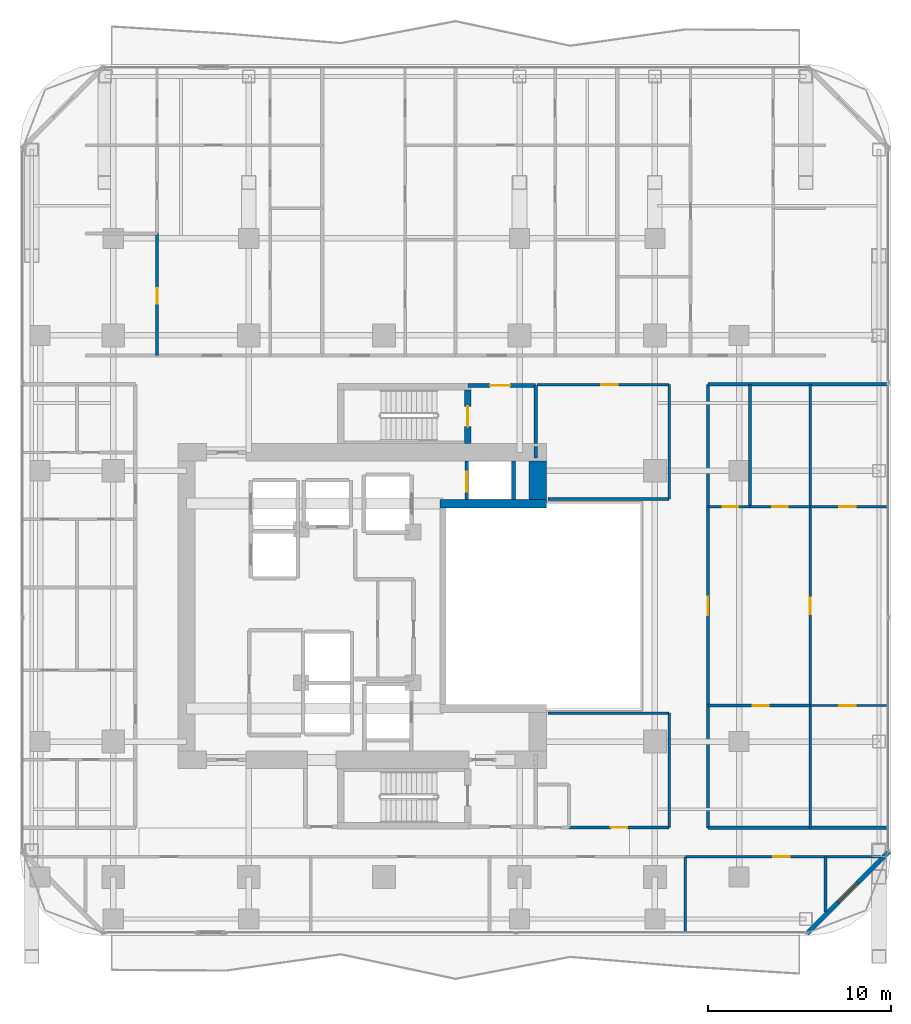
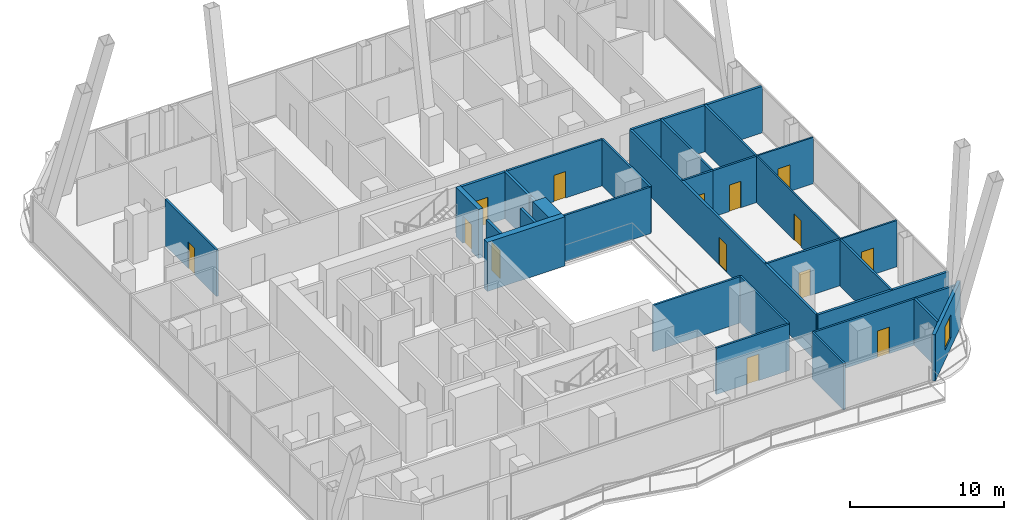
# One storey, part 23 of 28: 31 walls, 14 doors, 1 window, 15 openings.
"""IFC4 building model written with IfcOpenShell, lengths in metres."""

from ifc_helpers import new_model, si_unit, direction, frame, frame_2d, origin, place, context, subcontext, project, spatial, rectangle, extrude, material, layer, layer_set, type_object, element, fill, save


model = new_model("IFC4")

# Units and contexts
model_context = context("Model", 3, precision=1e-05, world=origin(), true_north=direction((0.0, 1.0)))
body_context = subcontext(model_context, "Body", "Model", "MODEL_VIEW")
ifc_project = project(units=[si_unit("LENGTHUNIT", "METRE"), si_unit("AREAUNIT", "SQUARE_METRE"), si_unit("VOLUMEUNIT", "CUBIC_METRE"), si_unit("PLANEANGLEUNIT", "RADIAN"), si_unit("MASSUNIT", "GRAM", prefix="KILO")], contexts=[model_context])

# Site, building, storey
site_placement = place(None, origin())
site = spatial("IfcSite", under=ifc_project, at=site_placement, CompositionType="ELEMENT")
building_placement = place(site_placement, origin())
building = spatial("IfcBuilding", under=site, at=building_placement, Name="Khorvyn Point Tower", CompositionType="ELEMENT")
storey_placement = place(building_placement, frame((0.0, 0.0, 121.199951171875)))
storey = spatial("IfcBuildingStorey", under=building, at=storey_placement, Name="L30", CompositionType="ELEMENT", Elevation=121.199951171875)

# Wall, opening, door
ifc_material_1 = material(Name="Double acoustic gypsum on twin steel stud", Category="steel")
ifc_layer_1 = layer(ifc_material_1, 0.179931640625)
ifc_layer_set_1 = layer_set([ifc_layer_1], Name="Acoustic Double-Stud Apartment Demising Wall 180")
wall_type_1 = type_object("IfcWallType", Name="Acoustic Double-Stud Apartment Demising Wall 180", PredefinedType="PARTITIONING", material=ifc_layer_set_1)
wall_1_placement = place(storey_placement, frame((17.699951171875, -12.1201171875, 0.0), z_axis=(0.0, 0.0, 1.0), x_axis=(0.0, 1.0, 0.0)))
wall_1 = element("IfcWall", 1, at=wall_1_placement, inside=storey, type_object=wall_type_1, Name="Wall", PredefinedType="PARTITIONING", context=body_context, shape_type="SweptSolid", body=[
    extrude(rectangle(XDim=24.240234375, YDim=0.179931640625, at=frame_2d((12.1201171875, 0.0))), origin(), (0.0, 0.0, 1.0), 3.679931640625),
])
opening_1_placement = place(wall_1_placement, frame((11.6201171875, 0.0, 0.0)))
opening_1 = element("IfcOpeningElement", 2, at=opening_1_placement, cuts=wall_1, Name="Opening ID-AP60", PredefinedType="OPENING", context=body_context, shape_type="SweptSolid", body=[
    extrude(rectangle(XDim=1.0, YDim=2.199951171875, at=frame_2d((0.5, 1.10009765625))), frame((0.0, 0.099853515625, 0.0), z_axis=(0.0, -1.0, 0.0), x_axis=(1.0, 0.0, 0.0)), (0.0, 0.0, 1.0), 0.199951171875),
])
ifc_material_2 = material(Name="Engineered hardwood fire-rated leaf", Category="wood")
door_type_1 = type_object("IfcDoorType", Name="Acoustic Solid-Core Timber Apartment Entrance Door 1000x2200", OperationType="NOTDEFINED", PredefinedType="DOOR", material=ifc_material_2)
door_1_placement = place(opening_1_placement, origin())
door_1 = element("IfcDoor", 3, at=door_1_placement, inside=storey, type_object=door_type_1, Name="Door", OperationType="SINGLE_SWING_RIGHT", OverallHeight=2.199951171875, OverallWidth=1.0, PredefinedType="DOOR", context=body_context, shape_type="SweptSolid", body=[
    extrude(rectangle(XDim=1.0, YDim=2.199951171875, at=frame_2d((0.5, 1.10009765625))), frame((0.0, 0.02490234375, 0.0), z_axis=(0.0, -1.0, 0.0), x_axis=(1.0, 0.0, 0.0)), (0.0, 0.0, 1.0), 0.050048828125),
])
fill(opening_1, door_1)

# Walls
wall_2_placement = place(storey_placement, frame((24.1201171875, -16.7099609375, 0.0), z_axis=(0.0, 0.0, 1.0), x_axis=(0.0, 1.0, 0.0)))
element("IfcWall", 4, at=wall_2_placement, inside=storey, type_object=wall_type_1, Name="Wall", PredefinedType="PARTITIONING", context=body_context, shape_type="SweptSolid", body=[
    extrude(rectangle(XDim=3.010009765625, YDim=0.179931640625, at=frame_2d((1.5048828125, 0.0))), origin(), (0.0, 0.0, 1.0), 3.679931640625),
])
for number, where, z_axis, x_axis, name in (
    (5, (17.699951171875, -12.1201171875, 0.0), (0.0, 0.0, 1.0), (1.0, 0.0, 0.0), "Wall"),
    (6, (17.699951171875, 12.1201171875, 0.0), (0.0, 0.0, 1.0), (1.0, 0.0, 0.0), "Wall"),
):
    element("IfcWall", number, at=place(storey_placement, frame(where, z_axis=z_axis, x_axis=x_axis)), inside=storey, type_object=wall_type_1, Name=name, PredefinedType="PARTITIONING", context=body_context, shape_type="SweptSolid", body=[
        extrude(rectangle(XDim=9.830078125, YDim=0.179931640625, at=frame_2d((4.9150390625, 0.0))), origin(), (0.0, 0.0, 1.0), 3.679931640625),
    ])

# Wall, opening, window
ifc_material_3 = material(Name="Pale anodised aluminium rainscreen on steel stud", Category="steel")
ifc_layer_2 = layer(ifc_material_3, 0.239990234375)
ifc_layer_set_2 = layer_set([ifc_layer_2], Name="Anodised Aluminium Insulated Corner Spandrel Wall 240")
wall_type_2 = type_object("IfcWallType", Name="Anodised Aluminium Insulated Corner Spandrel Wall 240", PredefinedType="SOLIDWALL", material=ifc_layer_set_2)
wall_3_placement = place(storey_placement, frame((27.59228515625, -13.40771484375, 0.0), z_axis=(0.0, 0.0, 1.0), x_axis=(-0.707106781187, -0.707106781187, 0.0)))
wall_3 = element("IfcWall", 7, at=wall_3_placement, inside=storey, type_object=wall_type_2, Name="L30 Rounded Corner Wall SE", PredefinedType="SOLIDWALL", context=body_context, shape_type="SweptSolid", body=[
    extrude(rectangle(XDim=6.34228515625, YDim=0.239990234375, at=frame_2d((3.171142578125, 0.0))), origin(), (0.0, 0.0, 1.0), 3.679931640625),
])
opening_2_placement = place(wall_3_placement, frame((2.42138671875, 0.0, 0.800048828125)))
opening_2 = element("IfcOpeningElement", 8, at=opening_2_placement, cuts=wall_3, Name="Opening WN-1518", PredefinedType="OPENING", context=body_context, shape_type="SweptSolid", body=[
    extrude(rectangle(XDim=1.5, YDim=1.85009765625, at=frame_2d((0.75, 0.925048828125))), frame((0.0, 0.1298828125, 0.0), z_axis=(0.0, -1.0, 0.0), x_axis=(1.0, 0.0, 0.0)), (0.0, 0.0, 1.0), 0.260009765625),
])
ifc_material_4 = material(Name="Anodised aluminium 6063-T6 and laminated Low-E glass", Category="aluminium")
window_type = type_object("IfcWindowType", Name="Anodised Aluminium Rounded-Corner Panoramic Window 1500x1850", PartitioningType="SINGLE_PANEL", PredefinedType="WINDOW", material=ifc_material_4)
window_placement = place(opening_2_placement, origin())
window = element("IfcWindow", 9, at=window_placement, inside=storey, type_object=window_type, Name="L30 Corner Panoramic Window SE", OverallHeight=1.85009765625, OverallWidth=1.5, PartitioningType="SINGLE_PANEL", PredefinedType="WINDOW", context=body_context, shape_type="SweptSolid", body=[
    extrude(rectangle(XDim=1.5, YDim=1.85009765625, at=frame_2d((0.75, 0.925048828125))), frame((0.0, 0.030029296875, 0.0), z_axis=(0.0, -1.0, 0.0), x_axis=(1.0, 0.0, 0.0)), (0.0, 0.0, 1.0), 0.06005859375),
])
fill(opening_2, window)

# Wall
ifc_material_5 = material(Name="Concrete C40/50", Category="concrete")
ifc_layer_3 = layer(ifc_material_5, 0.449951171875)
ifc_layer_set_3 = layer_set([ifc_layer_3], Name="Concrete C40/50 Core Shear Wall 450")
wall_type_3 = type_object("IfcWallType", Name="Concrete C40/50 Core Shear Wall 450", PredefinedType="SHEAR", material=ifc_layer_set_3)
wall_4_placement = place(storey_placement, frame((3.044921875, 5.60009765625, 0.0), z_axis=(0.0, 0.0, 1.0), x_axis=(1.0, 0.0, 0.0)))
element("IfcWall", 10, at=wall_4_placement, inside=storey, type_object=wall_type_3, Name="Wall", PredefinedType="SHEAR", context=body_context, shape_type="SweptSolid", body=[
    extrude(rectangle(XDim=5.830078125, YDim=0.449951171875, at=frame_2d((2.9150390625, 0.0))), origin(), (0.0, 0.0, 1.0), 3.900146484375),
])

# Wall, opening, door
ifc_layer_4 = layer(ifc_material_5, 0.199951171875)
ifc_layer_set_4 = layer_set([ifc_layer_4], Name="Concrete C40/50 Fire-Lobby Compartment Wall 200")
wall_type_4 = type_object("IfcWallType", Name="Concrete C40/50 Fire-Lobby Compartment Wall 200", PredefinedType="SOLIDWALL", material=ifc_layer_set_4)
wall_5_placement = place(storey_placement, frame((4.580078125, 12.06005859375, 0.0), z_axis=(0.0, 0.0, 1.0), x_axis=(1.0, 0.0, 0.0)))
wall_5 = element("IfcWall", 11, at=wall_5_placement, inside=storey, type_object=wall_type_4, Name="Wall", PredefinedType="SOLIDWALL", context=body_context, shape_type="SweptSolid", body=[
    extrude(rectangle(XDim=3.699951171875, YDim=0.199951171875, at=frame_2d((1.85009765625, 0.0))), origin(), (0.0, 0.0, 1.0), 3.679931640625),
])
opening_3_placement = place(wall_5_placement, frame((1.21240234375, 0.0, 0.0)))
opening_3 = element("IfcOpeningElement", 12, at=opening_3_placement, cuts=wall_5, Name="Opening ID-FL90", PredefinedType="OPENING", context=body_context, shape_type="SweptSolid", body=[
    extrude(rectangle(XDim=1.10009765625, YDim=2.14990234375, at=frame_2d((0.550048828125, 1.074951171875))), frame((0.0, 0.10986328125, 0.0), z_axis=(0.0, -1.0, 0.0), x_axis=(1.0, 0.0, 0.0)), (0.0, 0.0, 1.0), 0.219970703125),
])
ifc_material_6 = material(Name="Galvanised powder-coated steel", Category="steel")
door_type_2 = type_object("IfcDoorType", Name="Fire-Rated Steel Lobby and Stair Door 1100x2150", OperationType="NOTDEFINED", PredefinedType="DOOR", material=ifc_material_6)
door_2_placement = place(opening_3_placement, origin())
door_2 = element("IfcDoor", 13, at=door_2_placement, inside=storey, type_object=door_type_2, Name="Door", OperationType="SINGLE_SWING_RIGHT", OverallHeight=2.14990234375, OverallWidth=1.10009765625, PredefinedType="DOOR", context=body_context, shape_type="SweptSolid", body=[
    extrude(rectangle(XDim=1.10009765625, YDim=2.14990234375, at=frame_2d((0.550048828125, 1.074951171875))), frame((0.0, 0.02490234375, 0.0), z_axis=(0.0, -1.0, 0.0), x_axis=(1.0, 0.0, 0.0)), (0.0, 0.0, 1.0), 0.050048828125),
])
fill(opening_3, door_2)

# Walls
wall_6_placement = place(storey_placement, frame((8.280029296875, 8.875, 0.0), z_axis=(0.0, 0.0, 1.0), x_axis=(0.0, 1.0, 0.0)))
element("IfcWall", 14, at=wall_6_placement, inside=storey, type_object=wall_type_4, Name="Wall", PredefinedType="SOLIDWALL", context=body_context, shape_type="SweptSolid", body=[
    extrude(rectangle(XDim=3.18505859375, YDim=0.199951171875, at=frame_2d((1.592529296875, 0.0))), origin(), (0.0, 0.0, 1.0), 3.679931640625),
])
wall_7_placement = place(storey_placement, frame((8.280029296875, 8.10009765625, 0.0), z_axis=(0.0, 0.0, 1.0), x_axis=(0.0, 1.0, 0.0)))
element("IfcWall", 15, at=wall_7_placement, inside=storey, type_object=wall_type_4, Name="Wall", PredefinedType="SOLIDWALL", context=body_context, shape_type="SweptSolid", body=[
    extrude(rectangle(XDim=0.625, YDim=0.199951171875, at=frame_2d((0.3125, 0.0))), origin(), (0.0, 0.0, 1.0), 3.679931640625),
])

# Wall, opening, door
ifc_layer_5 = layer(ifc_material_5, 0.35009765625)
ifc_layer_set_5 = layer_set([ifc_layer_5], Name="Concrete C40/50 Stair Shaft Structural Wall 350")
wall_type_5 = type_object("IfcWallType", Name="Concrete C40/50 Stair Shaft Structural Wall 350", PredefinedType="SHEAR", material=ifc_layer_set_5)
wall_8_placement = place(storey_placement, frame((4.580078125, 11.824951171875, 0.0), z_axis=(0.0, 0.0, 1.0), x_axis=(0.0, -1.0, 0.0)))
wall_8 = element("IfcWall", 16, at=wall_8_placement, inside=storey, type_object=wall_type_5, Name="L30 ST-02 East Landing Door Wall", PredefinedType="SHEAR", context=body_context, shape_type="SweptSolid", body=[
    extrude(rectangle(XDim=2.925048828125, YDim=0.35009765625, at=frame_2d((1.46240234375, 0.0))), origin(), (0.0, 0.0, 1.0), 3.900146484375),
])
opening_4_placement = place(wall_8_placement, frame((0.91259765625, 0.0, 0.0)))
opening_4 = element("IfcOpeningElement", 17, at=opening_4_placement, cuts=wall_8, Name="Opening ID-FL90", PredefinedType="OPENING", context=body_context, shape_type="SweptSolid", body=[
    extrude(rectangle(XDim=1.10009765625, YDim=2.14990234375, at=frame_2d((0.550048828125, 1.074951171875))), frame((0.0, 0.18505859375, 0.0), z_axis=(0.0, -1.0, 0.0), x_axis=(1.0, 0.0, 0.0)), (0.0, 0.0, 1.0), 0.3701171875),
])
door_3_placement = place(opening_4_placement, origin())
door_3 = element("IfcDoor", 18, at=door_3_placement, inside=storey, type_object=door_type_2, Name="L30 ST-02 Smokeproof Landing Door", OperationType="SINGLE_SWING_LEFT", OverallHeight=2.14990234375, OverallWidth=1.10009765625, PredefinedType="DOOR", context=body_context, shape_type="SweptSolid", body=[
    extrude(rectangle(XDim=1.10009765625, YDim=2.14990234375, at=frame_2d((0.550048828125, 1.074951171875))), frame((0.0, 0.02490234375, 0.0), z_axis=(0.0, -1.0, 0.0), x_axis=(1.0, 0.0, 0.0)), (0.0, 0.0, 1.0), 0.050048828125),
])
fill(opening_4, door_3)

ifc_layer_6 = layer(ifc_material_5, 0.199951171875)
ifc_layer_set_6 = layer_set([ifc_layer_6], Name="Concrete C40/50 Structural Hoistway and Stair Shaft Wall 200")
wall_type_6 = type_object("IfcWallType", Name="Concrete C40/50 Structural Hoistway and Stair Shaft Wall 200", PredefinedType="SHEAR", material=ifc_layer_set_6)
wall_9_placement = place(storey_placement, frame((4.52490234375, 5.824951171875, 0.0), z_axis=(0.0, 0.0, 1.0), x_axis=(0.0, 1.0, 0.0)))
wall_9 = element("IfcWall", 19, at=wall_9_placement, inside=storey, type_object=wall_type_6, Name="Wall", PredefinedType="SHEAR", context=body_context, shape_type="SweptSolid", body=[
    extrude(rectangle(XDim=2.10009765625, YDim=0.199951171875, at=frame_2d((1.050048828125, 0.0))), origin(), (0.0, 0.0, 1.0), 3.679931640625),
])
opening_5_placement = place(wall_9_placement, frame((0.425048828125, 0.0, 0.0)))
opening_5 = element("IfcOpeningElement", 20, at=opening_5_placement, cuts=wall_9, Name="Opening LD-1122", PredefinedType="OPENING", context=body_context, shape_type="SweptSolid", body=[
    extrude(rectangle(XDim=1.10009765625, YDim=2.199951171875, at=frame_2d((0.550048828125, 1.10009765625))), frame((0.0, 0.10986328125, 0.0), z_axis=(0.0, -1.0, 0.0), x_axis=(1.0, 0.0, 0.0)), (0.0, 0.0, 1.0), 0.219970703125),
])
ifc_material_7 = material(Name="Stainless steel 1.4301", Category="steel")
door_type_3 = type_object("IfcDoorType", Name="Stainless Steel Automatic Sliding Lift Landing Door 1100x2200", OperationType="SLIDING_TO_LEFT", PredefinedType="DOOR", material=ifc_material_7)
door_4_placement = place(opening_5_placement, origin())
door_4 = element("IfcDoor", 21, at=door_4_placement, inside=storey, type_object=door_type_3, Name="L30 FF-02 Sliding Lift Landing Door", OperationType="SLIDING_TO_LEFT", OverallHeight=2.199951171875, OverallWidth=1.10009765625, PredefinedType="DOOR", context=body_context, shape_type="SweptSolid", body=[
    extrude(rectangle(XDim=1.10009765625, YDim=2.199951171875, at=frame_2d((0.550048828125, 1.10009765625))), frame((0.0, 0.02490234375, 0.0), z_axis=(0.0, -1.0, 0.0), x_axis=(1.0, 0.0, 0.0)), (0.0, 0.0, 1.0), 0.050048828125),
])
fill(opening_5, door_4)

# Walls
wall_10_placement = place(storey_placement, frame((7.074951171875, 5.824951171875, 0.0), z_axis=(0.0, 0.0, 1.0), x_axis=(0.0, 1.0, 0.0)))
element("IfcWall", 22, at=wall_10_placement, inside=storey, type_object=wall_type_6, Name="Wall", PredefinedType="SHEAR", context=body_context, shape_type="SweptSolid", body=[
    extrude(rectangle(XDim=2.10009765625, YDim=0.199951171875, at=frame_2d((1.050048828125, 0.0))), origin(), (0.0, 0.0, 1.0), 3.679931640625),
])
ifc_material_8 = material(Name="Concrete C50/60", Category="concrete")
ifc_layer_7 = layer(ifc_material_8, 0.949951171875)
ifc_layer_set_7 = layer_set([ifc_layer_7], Name="Concrete C50/60 Core Shear Wall 950")
wall_type_7 = type_object("IfcWallType", Name="Concrete C50/60 Core Shear Wall 950", PredefinedType="SHEAR", material=ifc_layer_set_7)
wall_11_placement = place(storey_placement, frame((8.39990234375, 5.824951171875, 0.0), z_axis=(0.0, 0.0, 1.0), x_axis=(0.0, 1.0, 0.0)))
element("IfcWall", 23, at=wall_11_placement, inside=storey, type_object=wall_type_7, Name="Wall", PredefinedType="SHEAR", context=body_context, shape_type="SweptSolid", body=[
    extrude(rectangle(XDim=2.10009765625, YDim=0.949951171875, at=frame_2d((1.050048828125, 0.0))), origin(), (0.0, 0.0, 1.0), 3.900146484375),
])

# Wall, opening, door
ifc_material_9 = material(Name="Gypsum plasterboard on steel stud", Category="steel")
ifc_layer_8 = layer(ifc_material_9, 0.1201171875)
ifc_layer_set_8 = layer_set([ifc_layer_8], Name="Gypsum Acoustic Stud Room Partition Wall 120")
wall_type_8 = type_object("IfcWallType", Name="Gypsum Acoustic Stud Room Partition Wall 120", PredefinedType="PARTITIONING", material=ifc_layer_set_8)
wall_12_placement = place(storey_placement, frame((23.2900390625, -5.43603515625, 0.0), z_axis=(0.0, 0.0, 1.0), x_axis=(0.0, 1.0, 0.0)))
wall_12 = element("IfcWall", 24, at=wall_12_placement, inside=storey, type_object=wall_type_8, Name="Wall", PredefinedType="PARTITIONING", context=body_context, shape_type="SweptSolid", body=[
    extrude(rectangle(XDim=10.8720703125, YDim=0.1201171875, at=frame_2d((5.43603515625, 0.0))), origin(), (0.0, 0.0, 1.0), 3.679931640625),
])
opening_6_placement = place(wall_12_placement, frame((4.986083984375, 0.0, 0.0)))
opening_6 = element("IfcOpeningElement", 25, at=opening_6_placement, cuts=wall_12, Name="Opening ID-RM90", PredefinedType="OPENING", context=body_context, shape_type="SweptSolid", body=[
    extrude(rectangle(XDim=0.89990234375, YDim=2.10009765625, at=frame_2d((0.449951171875, 1.050048828125))), frame((0.0, 0.070068359375, 0.0), z_axis=(0.0, -1.0, 0.0), x_axis=(1.0, 0.0, 0.0)), (0.0, 0.0, 1.0), 0.14013671875),
])
ifc_material_10 = material(Name="Engineered oak veneer timber", Category="wood")
door_type_4 = type_object("IfcDoorType", Name="Flush Engineered Timber Room Door 900x2100", OperationType="NOTDEFINED", PredefinedType="DOOR", material=ifc_material_10)
door_5_placement = place(opening_6_placement, origin())
door_5 = element("IfcDoor", 26, at=door_5_placement, inside=storey, type_object=door_type_4, Name="Door", OperationType="SINGLE_SWING_LEFT", OverallHeight=2.10009765625, OverallWidth=0.89990234375, PredefinedType="DOOR", context=body_context, shape_type="SweptSolid", body=[
    extrude(rectangle(XDim=0.89990234375, YDim=2.10009765625, at=frame_2d((0.449951171875, 1.050048828125))), frame((0.0, 0.02490234375, 0.0), z_axis=(0.0, -1.0, 0.0), x_axis=(1.0, 0.0, 0.0)), (0.0, 0.0, 1.0), 0.050048828125),
])
fill(opening_6, door_5)

wall_13_placement = place(storey_placement, frame((23.2900390625, -5.43603515625, 0.0), z_axis=(0.0, 0.0, 1.0), x_axis=(1.0, 0.0, 0.0)))
wall_13 = element("IfcWall", 27, at=wall_13_placement, inside=storey, type_object=wall_type_8, Name="Wall", PredefinedType="PARTITIONING", context=body_context, shape_type="SweptSolid", body=[
    extrude(rectangle(XDim=4.239990234375, YDim=0.1201171875, at=frame_2d((2.1201171875, 0.0))), origin(), (0.0, 0.0, 1.0), 3.679931640625),
])
opening_7_placement = place(wall_13_placement, frame((1.581298828125, 0.0, 0.0)))
opening_7 = element("IfcOpeningElement", 28, at=opening_7_placement, cuts=wall_13, Name="Opening ID-RM90", PredefinedType="OPENING", context=body_context, shape_type="SweptSolid", body=[
    extrude(rectangle(XDim=0.89990234375, YDim=2.10009765625, at=frame_2d((0.449951171875, 1.050048828125))), frame((0.0, 0.070068359375, 0.0), z_axis=(0.0, -1.0, 0.0), x_axis=(1.0, 0.0, 0.0)), (0.0, 0.0, 1.0), 0.14013671875),
])
door_6_placement = place(opening_7_placement, origin())
door_6 = element("IfcDoor", 29, at=door_6_placement, inside=storey, type_object=door_type_4, Name="Door", OperationType="SINGLE_SWING_LEFT", OverallHeight=2.10009765625, OverallWidth=0.89990234375, PredefinedType="DOOR", context=body_context, shape_type="SweptSolid", body=[
    extrude(rectangle(XDim=0.89990234375, YDim=2.10009765625, at=frame_2d((0.449951171875, 1.050048828125))), frame((0.0, 0.02490234375, 0.0), z_axis=(0.0, -1.0, 0.0), x_axis=(1.0, 0.0, 0.0)), (0.0, 0.0, 1.0), 0.050048828125),
])
fill(opening_7, door_6)

wall_14_placement = place(storey_placement, frame((23.2900390625, 5.43603515625, 0.0), z_axis=(0.0, 0.0, 1.0), x_axis=(1.0, 0.0, 0.0)))
wall_14 = element("IfcWall", 30, at=wall_14_placement, inside=storey, type_object=wall_type_8, Name="Wall", PredefinedType="PARTITIONING", context=body_context, shape_type="SweptSolid", body=[
    extrude(rectangle(XDim=4.239990234375, YDim=0.1201171875, at=frame_2d((2.1201171875, 0.0))), origin(), (0.0, 0.0, 1.0), 3.679931640625),
])
opening_8_placement = place(wall_14_placement, frame((1.581298828125, 0.0, 0.0)))
opening_8 = element("IfcOpeningElement", 31, at=opening_8_placement, cuts=wall_14, Name="Opening ID-RM90", PredefinedType="OPENING", context=body_context, shape_type="SweptSolid", body=[
    extrude(rectangle(XDim=0.89990234375, YDim=2.10009765625, at=frame_2d((0.449951171875, 1.050048828125))), frame((0.0, 0.070068359375, 0.0), z_axis=(0.0, -1.0, 0.0), x_axis=(1.0, 0.0, 0.0)), (0.0, 0.0, 1.0), 0.14013671875),
])
door_7_placement = place(opening_8_placement, origin())
door_7 = element("IfcDoor", 32, at=door_7_placement, inside=storey, type_object=door_type_4, Name="Door", OperationType="SINGLE_SWING_RIGHT", OverallHeight=2.10009765625, OverallWidth=0.89990234375, PredefinedType="DOOR", context=body_context, shape_type="SweptSolid", body=[
    extrude(rectangle(XDim=0.89990234375, YDim=2.10009765625, at=frame_2d((0.449951171875, 1.050048828125))), frame((0.0, 0.02490234375, 0.0), z_axis=(0.0, -1.0, 0.0), x_axis=(1.0, 0.0, 0.0)), (0.0, 0.0, 1.0), 0.050048828125),
])
fill(opening_8, door_7)

ifc_material_11 = material(Name="Moisture-resistant gypsum and cement board", Category="gypsum")
ifc_layer_9 = layer(ifc_material_11, 0.14990234375)
ifc_layer_set_9 = layer_set([ifc_layer_9], Name="Moisture-Resistant Wet-Room Partition Wall 150")
wall_type_9 = type_object("IfcWallType", Name="Moisture-Resistant Wet-Room Partition Wall 150", PredefinedType="PARTITIONING", material=ifc_layer_set_9)
wall_15_placement = place(storey_placement, frame((10.10009765625, -12.10009765625, 0.0), z_axis=(0.0, 0.0, 1.0), x_axis=(1.0, 0.0, 0.0)))
wall_15 = element("IfcWall", 33, at=wall_15_placement, inside=storey, type_object=wall_type_9, Name="Wall", PredefinedType="PARTITIONING", context=body_context, shape_type="SweptSolid", body=[
    extrude(rectangle(XDim=5.47998046875, YDim=0.14990234375, at=frame_2d((2.739990234375, 0.0))), origin(), (0.0, 0.0, 1.0), 3.679931640625),
])
opening_9_placement = place(wall_15_placement, frame((2.2900390625, 0.0, 0.0)))
opening_9 = element("IfcOpeningElement", 34, at=opening_9_placement, cuts=wall_15, Name="Opening ID-RM90", PredefinedType="OPENING", context=body_context, shape_type="SweptSolid", body=[
    extrude(rectangle(XDim=0.89990234375, YDim=2.10009765625, at=frame_2d((0.449951171875, 1.050048828125))), frame((0.0, 0.0849609375, 0.0), z_axis=(0.0, -1.0, 0.0), x_axis=(1.0, 0.0, 0.0)), (0.0, 0.0, 1.0), 0.169921875),
])
door_8_placement = place(opening_9_placement, origin())
door_8 = element("IfcDoor", 35, at=door_8_placement, inside=storey, type_object=door_type_4, Name="Door", OperationType="SINGLE_SWING_RIGHT", OverallHeight=2.10009765625, OverallWidth=0.89990234375, PredefinedType="DOOR", context=body_context, shape_type="SweptSolid", body=[
    extrude(rectangle(XDim=0.89990234375, YDim=2.10009765625, at=frame_2d((0.449951171875, 1.050048828125))), frame((0.0, 0.02490234375, 0.0), z_axis=(0.0, -1.0, 0.0), x_axis=(1.0, 0.0, 0.0)), (0.0, 0.0, 1.0), 0.050048828125),
])
fill(opening_9, door_8)

wall_16_placement = place(storey_placement, frame((8.360107421875, 12.10009765625, 0.0), z_axis=(0.0, 0.0, 1.0), x_axis=(1.0, 0.0, 0.0)))
wall_16 = element("IfcWall", 36, at=wall_16_placement, inside=storey, type_object=wall_type_9, Name="Wall", PredefinedType="PARTITIONING", context=body_context, shape_type="SweptSolid", body=[
    extrude(rectangle(XDim=7.219970703125, YDim=0.14990234375, at=frame_2d((3.60986328125, 0.0))), origin(), (0.0, 0.0, 1.0), 3.679931640625),
])
opening_10_placement = place(wall_16_placement, frame((3.512939453125, 0.0, 0.0)))
opening_10 = element("IfcOpeningElement", 37, at=opening_10_placement, cuts=wall_16, Name="Opening ID-RM90", PredefinedType="OPENING", context=body_context, shape_type="SweptSolid", body=[
    extrude(rectangle(XDim=0.89990234375, YDim=2.10009765625, at=frame_2d((0.449951171875, 1.050048828125))), frame((0.0, 0.0849609375, 0.0), z_axis=(0.0, -1.0, 0.0), x_axis=(1.0, 0.0, 0.0)), (0.0, 0.0, 1.0), 0.169921875),
])
door_9_placement = place(opening_10_placement, origin())
door_9 = element("IfcDoor", 38, at=door_9_placement, inside=storey, type_object=door_type_4, Name="Door", OperationType="SINGLE_SWING_LEFT", OverallHeight=2.10009765625, OverallWidth=0.89990234375, PredefinedType="DOOR", context=body_context, shape_type="SweptSolid", body=[
    extrude(rectangle(XDim=0.89990234375, YDim=2.10009765625, at=frame_2d((0.449951171875, 1.050048828125))), frame((0.0, 0.02490234375, 0.0), z_axis=(0.0, -1.0, 0.0), x_axis=(1.0, 0.0, 0.0)), (0.0, 0.0, 1.0), 0.050048828125),
])
fill(opening_10, door_9)

wall_17_placement = place(storey_placement, frame((-12.407958984375, 13.699951171875, 0.0), z_axis=(0.0, 0.0, 1.0), x_axis=(0.0, 1.0, 0.0)))
wall_17 = element("IfcWall", 39, at=wall_17_placement, inside=storey, type_object=wall_type_9, Name="Wall", PredefinedType="PARTITIONING", context=body_context, shape_type="SweptSolid", body=[
    extrude(rectangle(XDim=6.6640625, YDim=0.14990234375, at=frame_2d((3.33203125, 0.0))), origin(), (0.0, 0.0, 1.0), 3.679931640625),
])
opening_11_placement = place(wall_17_placement, frame((2.818359375, 0.0, 0.0)))
opening_11 = element("IfcOpeningElement", 40, at=opening_11_placement, cuts=wall_17, Name="Opening ID-WC85", PredefinedType="OPENING", context=body_context, shape_type="SweptSolid", body=[
    extrude(rectangle(XDim=0.85009765625, YDim=2.10009765625, at=frame_2d((0.425048828125, 1.050048828125))), frame((0.0, 0.0849609375, 0.0), z_axis=(0.0, -1.0, 0.0), x_axis=(1.0, 0.0, 0.0)), (0.0, 0.0, 1.0), 0.169921875),
])
ifc_material_12 = material(Name="High-pressure laminate on moisture-resistant core", Category="wood")
door_type_5 = type_object("IfcDoorType", Name="Moisture-Resistant Accessible Washroom Door 850x2100", OperationType="NOTDEFINED", PredefinedType="DOOR", material=ifc_material_12)
door_10_placement = place(opening_11_placement, origin())
door_10 = element("IfcDoor", 41, at=door_10_placement, inside=storey, type_object=door_type_5, Name="Door", OperationType="SINGLE_SWING_RIGHT", OverallHeight=2.10009765625, OverallWidth=0.85009765625, PredefinedType="DOOR", context=body_context, shape_type="SweptSolid", body=[
    extrude(rectangle(XDim=0.85009765625, YDim=2.10009765625, at=frame_2d((0.425048828125, 1.050048828125))), frame((0.0, 0.02490234375, 0.0), z_axis=(0.0, -1.0, 0.0), x_axis=(1.0, 0.0, 0.0)), (0.0, 0.0, 1.0), 0.050048828125),
])
fill(opening_11, door_10)

wall_18_placement = place(storey_placement, frame((16.465087890625, -13.699951171875, 0.0), z_axis=(0.0, 0.0, 1.0), x_axis=(1.0, 0.0, 0.0)))
wall_18 = element("IfcWall", 42, at=wall_18_placement, inside=storey, type_object=wall_type_9, Name="Wall", PredefinedType="PARTITIONING", context=body_context, shape_type="SweptSolid", body=[
    extrude(rectangle(XDim=10.664794921875, YDim=0.14990234375, at=frame_2d((5.33251953125, 0.0))), origin(), (0.0, 0.0, 1.0), 3.679931640625),
])
opening_12_placement = place(wall_18_placement, frame((4.79345703125, 0.0, 0.0)))
opening_12 = element("IfcOpeningElement", 43, at=opening_12_placement, cuts=wall_18, Name="Opening ID-RM90", PredefinedType="OPENING", context=body_context, shape_type="SweptSolid", body=[
    extrude(rectangle(XDim=0.89990234375, YDim=2.10009765625, at=frame_2d((0.449951171875, 1.050048828125))), frame((0.0, 0.0849609375, 0.0), z_axis=(0.0, -1.0, 0.0), x_axis=(1.0, 0.0, 0.0)), (0.0, 0.0, 1.0), 0.169921875),
])
door_11_placement = place(opening_12_placement, origin())
door_11 = element("IfcDoor", 44, at=door_11_placement, inside=storey, type_object=door_type_4, Name="Door", OperationType="SINGLE_SWING_LEFT", OverallHeight=2.10009765625, OverallWidth=0.89990234375, PredefinedType="DOOR", context=body_context, shape_type="SweptSolid", body=[
    extrude(rectangle(XDim=0.89990234375, YDim=2.10009765625, at=frame_2d((0.449951171875, 1.050048828125))), frame((0.0, 0.02490234375, 0.0), z_axis=(0.0, -1.0, 0.0), x_axis=(1.0, 0.0, 0.0)), (0.0, 0.0, 1.0), 0.050048828125),
])
fill(opening_12, door_11)

wall_19_placement = place(storey_placement, frame((17.699951171875, 5.43603515625, 0.0), z_axis=(0.0, 0.0, 1.0), x_axis=(1.0, 0.0, 0.0)))
wall_19 = element("IfcWall", 45, at=wall_19_placement, inside=storey, type_object=wall_type_9, Name="Wall", PredefinedType="PARTITIONING", context=body_context, shape_type="SweptSolid", body=[
    extrude(rectangle(XDim=2.2919921875, YDim=0.14990234375, at=frame_2d((1.14599609375, 0.0))), origin(), (0.0, 0.0, 1.0), 3.679931640625),
])
opening_13_placement = place(wall_19_placement, frame((0.801025390625, 0.0, 0.0)))
opening_13 = element("IfcOpeningElement", 46, at=opening_13_placement, cuts=wall_19, Name="Opening ID-WC85", PredefinedType="OPENING", context=body_context, shape_type="SweptSolid", body=[
    extrude(rectangle(XDim=0.85009765625, YDim=2.10009765625, at=frame_2d((0.425048828125, 1.050048828125))), frame((0.0, 0.0849609375, 0.0), z_axis=(0.0, -1.0, 0.0), x_axis=(1.0, 0.0, 0.0)), (0.0, 0.0, 1.0), 0.169921875),
])
door_12_placement = place(opening_13_placement, origin())
door_12 = element("IfcDoor", 47, at=door_12_placement, inside=storey, type_object=door_type_5, Name="Door", OperationType="SINGLE_SWING_RIGHT", OverallHeight=2.10009765625, OverallWidth=0.85009765625, PredefinedType="DOOR", context=body_context, shape_type="SweptSolid", body=[
    extrude(rectangle(XDim=0.85009765625, YDim=2.10009765625, at=frame_2d((0.425048828125, 1.050048828125))), frame((0.0, 0.02490234375, 0.0), z_axis=(0.0, -1.0, 0.0), x_axis=(1.0, 0.0, 0.0)), (0.0, 0.0, 1.0), 0.050048828125),
])
fill(opening_13, door_12)

wall_20_placement = place(storey_placement, frame((19.991943359375, 5.43603515625, 0.0), z_axis=(0.0, 0.0, 1.0), x_axis=(1.0, 0.0, 0.0)))
wall_20 = element("IfcWall", 48, at=wall_20_placement, inside=storey, type_object=wall_type_9, Name="Wall", PredefinedType="PARTITIONING", context=body_context, shape_type="SweptSolid", body=[
    extrude(rectangle(XDim=3.298095703125, YDim=0.14990234375, at=frame_2d((1.64892578125, 0.0))), origin(), (0.0, 0.0, 1.0), 3.679931640625),
])
opening_14_placement = place(wall_20_placement, frame((1.22412109375, 0.0, 0.0)))
opening_14 = element("IfcOpeningElement", 49, at=opening_14_placement, cuts=wall_20, Name="Opening ID-WC85", PredefinedType="OPENING", context=body_context, shape_type="SweptSolid", body=[
    extrude(rectangle(XDim=0.85009765625, YDim=2.10009765625, at=frame_2d((0.425048828125, 1.050048828125))), frame((0.0, 0.0849609375, 0.0), z_axis=(0.0, -1.0, 0.0), x_axis=(1.0, 0.0, 0.0)), (0.0, 0.0, 1.0), 0.169921875),
])
door_13_placement = place(opening_14_placement, origin())
door_13 = element("IfcDoor", 50, at=door_13_placement, inside=storey, type_object=door_type_5, Name="Door", OperationType="SINGLE_SWING_LEFT", OverallHeight=2.10009765625, OverallWidth=0.85009765625, PredefinedType="DOOR", context=body_context, shape_type="SweptSolid", body=[
    extrude(rectangle(XDim=0.85009765625, YDim=2.10009765625, at=frame_2d((0.425048828125, 1.050048828125))), frame((0.0, 0.02490234375, 0.0), z_axis=(0.0, -1.0, 0.0), x_axis=(1.0, 0.0, 0.0)), (0.0, 0.0, 1.0), 0.050048828125),
])
fill(opening_14, door_13)

wall_21_placement = place(storey_placement, frame((17.699951171875, -5.43603515625, 0.0), z_axis=(0.0, 0.0, 1.0), x_axis=(1.0, 0.0, 0.0)))
wall_21 = element("IfcWall", 51, at=wall_21_placement, inside=storey, type_object=wall_type_9, Name="Wall", PredefinedType="PARTITIONING", context=body_context, shape_type="SweptSolid", body=[
    extrude(rectangle(XDim=5.590087890625, YDim=0.14990234375, at=frame_2d((2.794921875, 0.0))), origin(), (0.0, 0.0, 1.0), 3.679931640625),
])
opening_15_placement = place(wall_21_placement, frame((2.45849609375, 0.0, 0.0)))
opening_15 = element("IfcOpeningElement", 52, at=opening_15_placement, cuts=wall_21, Name="Opening ID-WC85", PredefinedType="OPENING", context=body_context, shape_type="SweptSolid", body=[
    extrude(rectangle(XDim=0.85009765625, YDim=2.10009765625, at=frame_2d((0.425048828125, 1.050048828125))), frame((0.0, 0.0849609375, 0.0), z_axis=(0.0, -1.0, 0.0), x_axis=(1.0, 0.0, 0.0)), (0.0, 0.0, 1.0), 0.169921875),
])
door_14_placement = place(opening_15_placement, origin())
door_14 = element("IfcDoor", 53, at=door_14_placement, inside=storey, type_object=door_type_5, Name="Door", OperationType="SINGLE_SWING_RIGHT", OverallHeight=2.10009765625, OverallWidth=0.85009765625, PredefinedType="DOOR", context=body_context, shape_type="SweptSolid", body=[
    extrude(rectangle(XDim=0.85009765625, YDim=2.10009765625, at=frame_2d((0.425048828125, 1.050048828125))), frame((0.0, 0.02490234375, 0.0), z_axis=(0.0, -1.0, 0.0), x_axis=(1.0, 0.0, 0.0)), (0.0, 0.0, 1.0), 0.050048828125),
])
fill(opening_15, door_14)

# Walls
wall_22_placement = place(storey_placement, frame((15.580078125, -12.10009765625, 0.0), z_axis=(0.0, 0.0, 1.0), x_axis=(0.0, 1.0, 0.0)))
element("IfcWall", 54, at=wall_22_placement, inside=storey, type_object=wall_type_9, Name="Wall", PredefinedType="PARTITIONING", context=body_context, shape_type="SweptSolid", body=[
    extrude(rectangle(XDim=6.25, YDim=0.14990234375, at=frame_2d((3.125, 0.0))), origin(), (0.0, 0.0, 1.0), 3.679931640625),
])
wall_23_placement = place(storey_placement, frame((8.9599609375, -5.85009765625, 0.0), z_axis=(0.0, 0.0, 1.0), x_axis=(1.0, 0.0, 0.0)))
element("IfcWall", 55, at=wall_23_placement, inside=storey, type_object=wall_type_9, Name="Wall", PredefinedType="PARTITIONING", context=body_context, shape_type="SweptSolid", body=[
    extrude(rectangle(XDim=6.6201171875, YDim=0.14990234375, at=frame_2d((3.31005859375, 0.0))), origin(), (0.0, 0.0, 1.0), 3.679931640625),
])
wall_24_placement = place(storey_placement, frame((15.580078125, 5.85009765625, 0.0), z_axis=(0.0, 0.0, 1.0), x_axis=(0.0, 1.0, 0.0)))
element("IfcWall", 56, at=wall_24_placement, inside=storey, type_object=wall_type_9, Name="Wall", PredefinedType="PARTITIONING", context=body_context, shape_type="SweptSolid", body=[
    extrude(rectangle(XDim=6.25, YDim=0.14990234375, at=frame_2d((3.125, 0.0))), origin(), (0.0, 0.0, 1.0), 3.679931640625),
])
wall_25_placement = place(storey_placement, frame((8.9599609375, 5.85009765625, 0.0), z_axis=(0.0, 0.0, 1.0), x_axis=(1.0, 0.0, 0.0)))
element("IfcWall", 57, at=wall_25_placement, inside=storey, type_object=wall_type_9, Name="Wall", PredefinedType="PARTITIONING", context=body_context, shape_type="SweptSolid", body=[
    extrude(rectangle(XDim=6.6201171875, YDim=0.14990234375, at=frame_2d((3.31005859375, 0.0))), origin(), (0.0, 0.0, 1.0), 3.679931640625),
])
wall_26_placement = place(storey_placement, frame((16.465087890625, -17.830078125, 0.0), z_axis=(0.0, 0.0, 1.0), x_axis=(0.0, 1.0, 0.0)))
element("IfcWall", 58, at=wall_26_placement, inside=storey, type_object=wall_type_9, Name="Wall", PredefinedType="PARTITIONING", context=body_context, shape_type="SweptSolid", body=[
    extrude(rectangle(XDim=4.130126953125, YDim=0.14990234375, at=frame_2d((2.06494140625, 0.0))), origin(), (0.0, 0.0, 1.0), 3.679931640625),
])
for number, where, z_axis, x_axis, name in (
    (59, (19.991943359375, 5.43603515625, 0.0), (0.0, 0.0, 1.0), (0.0, 1.0, 0.0), "Wall"),
    (60, (23.2900390625, -12.1201171875, 0.0), (0.0, 0.0, 1.0), (0.0, 1.0, 0.0), "Wall"),
    (61, (23.2900390625, 5.43603515625, 0.0), (0.0, 0.0, 1.0), (0.0, 1.0, 0.0), "Wall"),
):
    element("IfcWall", number, at=place(storey_placement, frame(where, z_axis=z_axis, x_axis=x_axis)), inside=storey, type_object=wall_type_9, Name=name, PredefinedType="PARTITIONING", context=body_context, shape_type="SweptSolid", body=[
        extrude(rectangle(XDim=6.68408203125, YDim=0.14990234375, at=frame_2d((3.342041015625, 0.0))), origin(), (0.0, 0.0, 1.0), 3.679931640625),
    ])

save(model, "model.ifc")
